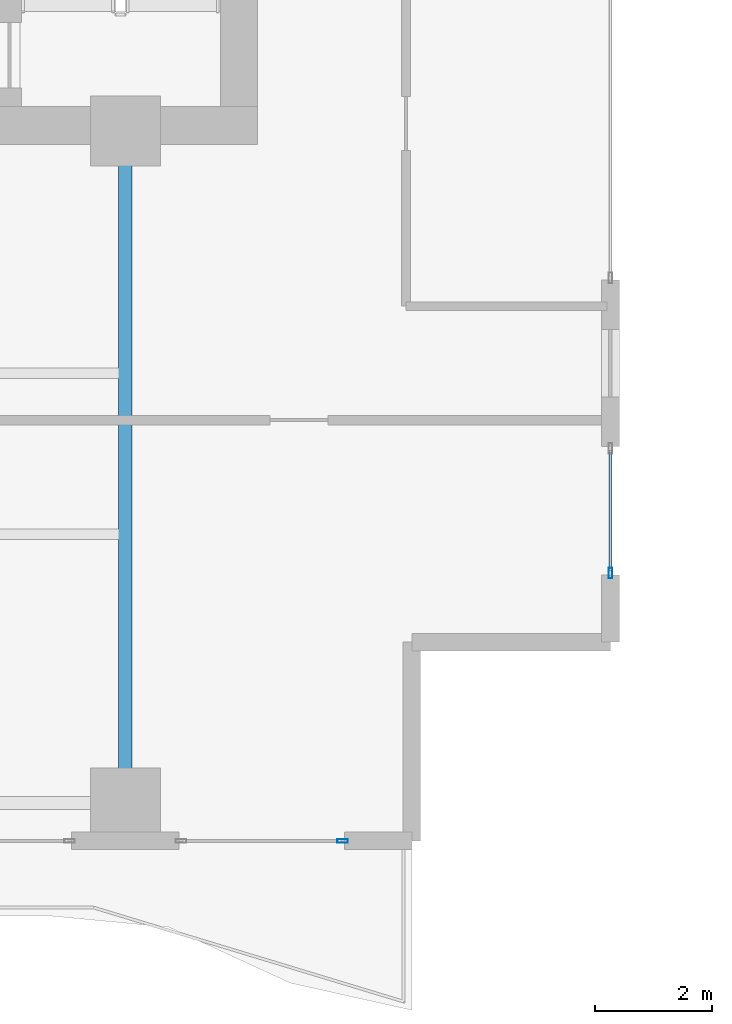
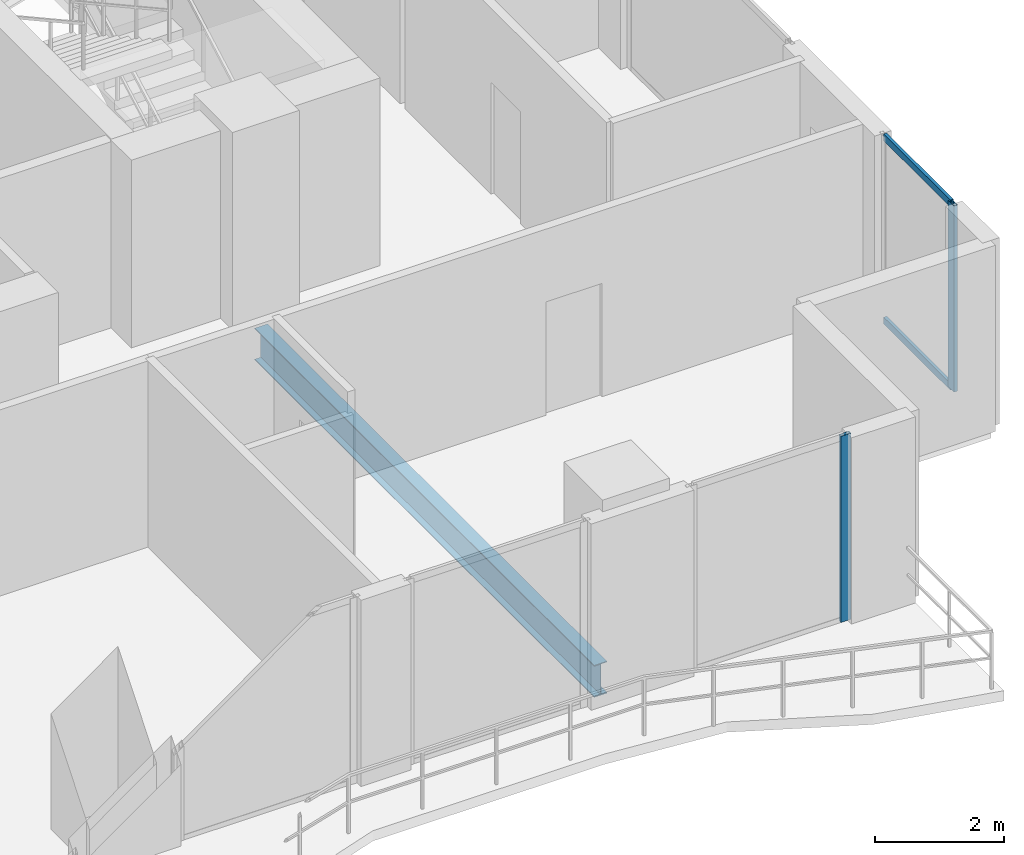
# One storey, part 10 of 32: 4 members, 1 beam, 2 elements without a shape of their own.
"""IFC4 building model written with IfcOpenShell, lengths in metres."""

from ifc_helpers import new_model, si_unit, direction, frame, origin, origin_2d, place, context, subcontext, project, spatial, hollow_rectangle, i_section, extrude, material, layer, layer_set, material_profile, profile_set, type_object, element, aggregate, save


model = new_model("IFC4")

# Units and contexts
model_context = context("Model", 3, precision=1e-05, world=origin(), true_north=direction((0.0, 1.0)))
body_context = subcontext(model_context, "Body", "Model", "MODEL_VIEW")
ifc_project = project(units=[si_unit("LENGTHUNIT", "METRE"), si_unit("AREAUNIT", "SQUARE_METRE"), si_unit("VOLUMEUNIT", "CUBIC_METRE"), si_unit("PLANEANGLEUNIT", "RADIAN"), si_unit("MASSUNIT", "GRAM", prefix="KILO")], contexts=[model_context])

# Site, building, storey
site_placement = place(None, origin())
site = spatial("IfcSite", under=ifc_project, at=site_placement, CompositionType="ELEMENT")
building_placement = place(site_placement, origin())
building = spatial("IfcBuilding", under=site, at=building_placement, Name="Zuhayl Quay Hotel", CompositionType="ELEMENT")
storey_placement = place(building_placement, frame((0.0, 0.0, 226.14990234375)))
storey = spatial("IfcBuildingStorey", under=building, at=storey_placement, Name="L57", CompositionType="ELEMENT", Elevation=226.14990234375)

# Beam
ifc_material_1 = material(Name="Steel ASTM A992 Grade 50", Category="steel")
ifc_material_profile_1 = material_profile(ifc_material_1, i_section(OverallWidth=0.22802734375, OverallDepth=0.60693359375, WebThickness=0.01123046875, FlangeThickness=0.017333984375, at=origin_2d()), Name="W24X76")
ifc_profile_set_1 = profile_set([ifc_material_profile_1], Name="Steel ASTM A992 Grade 50")
beam_type = type_object("IfcBeamType", Name="BM_B3_W24X76", PredefinedType="BEAM", material=ifc_profile_set_1)
beam_placement = place(storey_placement, frame((13.800048828125, -6.449951171875, -0.5234375), z_axis=(0.0, 1.0, 0.0), x_axis=(-1.0, 0.0, 0.0)))
element("IfcBeam", 1, at=beam_placement, inside=storey, type_object=beam_type, Name="L57 Floor Beam FG_S_L57_4", PredefinedType="BEAM", context=body_context, shape_type="SweptSolid", body=[
    extrude(i_section(OverallWidth=0.22802734375, OverallDepth=0.60693359375, WebThickness=0.01123046875, FlangeThickness=0.017333984375, at=origin_2d()), origin(), (0.0, 0.0, 1.0), 10.550048828125),
])

# Curtain wall, member
ifc_material_2 = material(Name="Anodised Aluminium 6063-T6", Category="aluminium")
ifc_layer = layer(ifc_material_2, 0.175048828125, Name="Anodised Aluminium 6063-T6", Category="aluminium")
ifc_layer_set = layer_set([ifc_layer], Name="Anodised Aluminium 6063-T6")
curtain_wall_type = type_object("IfcCurtainWallType", Name="CW_SYS_Z3", PredefinedType="USERDEFINED", material=ifc_layer_set)
curtain_wall_1_placement = place(storey_placement, origin())
curtain_wall_1 = element("IfcCurtainWall", 2, at=curtain_wall_1_placement, inside=storey, type_object=curtain_wall_type, Name="L57 Curtain Wall ENV_L57_E14_CW2", ObjectType="UNITISED CURTAIN WALL", PredefinedType="USERDEFINED")
ifc_material_3 = material(Name="Black-anodised aluminium 6063-T6", Category="aluminium")
ifc_material_profile_2 = material_profile(ifc_material_3, hollow_rectangle(XDim=0.06494140625, YDim=0.179931640625, WallThickness=0.00341796875, at=origin_2d()), Name="ALU180X65")
ifc_profile_set_2 = profile_set([ifc_material_profile_2], Name="Black-anodised aluminium 6063-T6")
member_type_1 = type_object("IfcMemberType", Name="MB_CW_MUL_180", PredefinedType="MULLION", material=ifc_profile_set_2)
member_1_placement = place(storey_placement, frame((22.10009765625, -3.017578125, 0.0), z_axis=(0.0, 0.0, 1.0), x_axis=(1.0, 0.0, 0.0)))
member_1 = element("IfcMember", 3, at=member_1_placement, type_object=member_type_1, Name="CW-Z3 mullion 2", PredefinedType="MULLION", context=body_context, shape_type="SweptSolid", body=[
    extrude(hollow_rectangle(XDim=0.06494140625, YDim=0.179931640625, WallThickness=0.00341796875, at=origin_2d()), origin(), (0.0, 0.0, 1.0), 3.530029296875),
])

curtain_wall_2_placement = place(storey_placement, origin())
curtain_wall_2 = element("IfcCurtainWall", 4, at=curtain_wall_2_placement, inside=storey, type_object=curtain_wall_type, Name="L57 Curtain Wall ENV_L57_S_CW1", ObjectType="UNITISED CURTAIN WALL", PredefinedType="USERDEFINED")
member_2_placement = place(storey_placement, frame((17.517578125, -7.60009765625, 0.0), z_axis=(0.0, 0.0, 1.0), x_axis=(0.0, -1.0, 0.0)))
member_2 = element("IfcMember", 5, at=member_2_placement, type_object=member_type_1, Name="CW-Z3 mullion 1", PredefinedType="MULLION", context=body_context, shape_type="SweptSolid", body=[
    extrude(hollow_rectangle(XDim=0.06494140625, YDim=0.179931640625, WallThickness=0.00341796875, at=origin_2d()), origin(), (0.0, 0.0, 1.0), 3.530029296875),
])
aggregate(curtain_wall_2, [member_2])

# Member
ifc_material_profile_3 = material_profile(ifc_material_3, hollow_rectangle(XDim=0.054931640625, YDim=0.1298828125, WallThickness=0.0029296875, at=origin_2d()), Name="ALU130X55")
ifc_profile_set_3 = profile_set([ifc_material_profile_3], Name="Black-anodised aluminium 6063-T6")
member_type_2 = type_object("IfcMemberType", Name="MB_CW_TRN_130", PredefinedType="USERDEFINED", material=ifc_profile_set_3)
member_3_placement = place(storey_placement, frame((22.10009765625, -0.9150390625, 0.027587890625), z_axis=(0.0, -1.0, 0.0), x_axis=(1.0, 0.0, 0.0)))
member_3 = element("IfcMember", 6, at=member_3_placement, type_object=member_type_2, Name="CW-Z3 transom 1.1", ObjectType="TRANSOM", PredefinedType="USERDEFINED", context=body_context, shape_type="SweptSolid", body=[
    extrude(hollow_rectangle(XDim=0.054931640625, YDim=0.1298828125, WallThickness=0.0029296875, at=origin_2d()), origin(), (0.0, 0.0, 1.0), 2.070068359375),
])

member_4_placement = place(storey_placement, frame((22.10009765625, -0.9150390625, 3.502685546875), z_axis=(0.0, -1.0, 0.0), x_axis=(1.0, 0.0, 0.0)))
member_4 = element("IfcMember", 7, at=member_4_placement, type_object=member_type_2, Name="CW-Z3 transom 1.2", ObjectType="TRANSOM", PredefinedType="USERDEFINED", context=body_context, shape_type="SweptSolid", body=[
    extrude(hollow_rectangle(XDim=0.054931640625, YDim=0.1298828125, WallThickness=0.0029296875, at=origin_2d()), origin(), (0.0, 0.0, 1.0), 2.070068359375),
])

aggregate(curtain_wall_1, [member_1, member_3, member_4])

save(model, "model.ifc")
